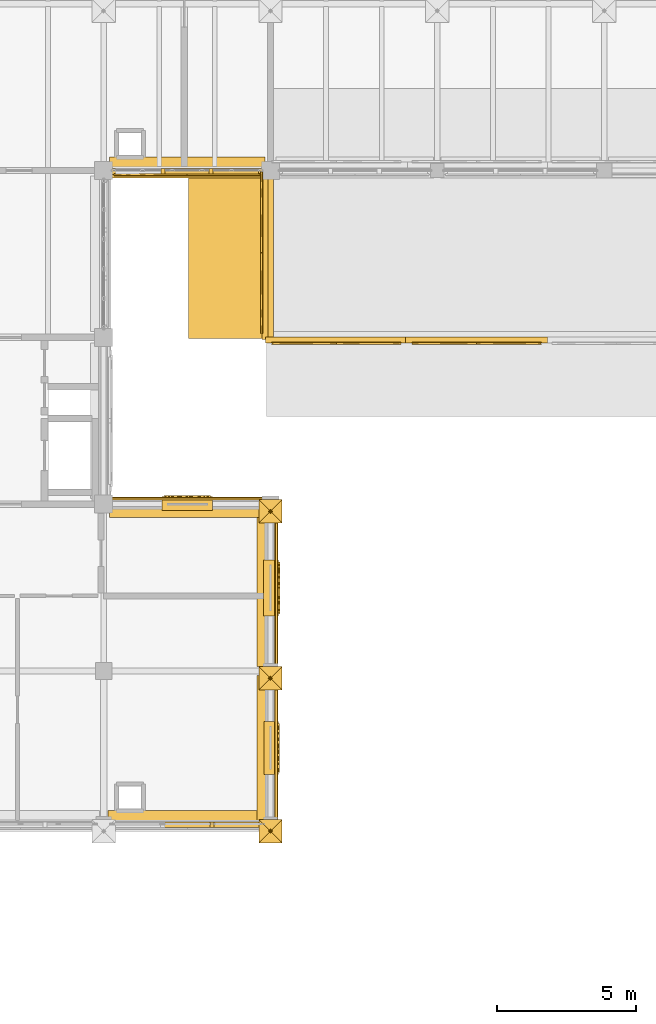
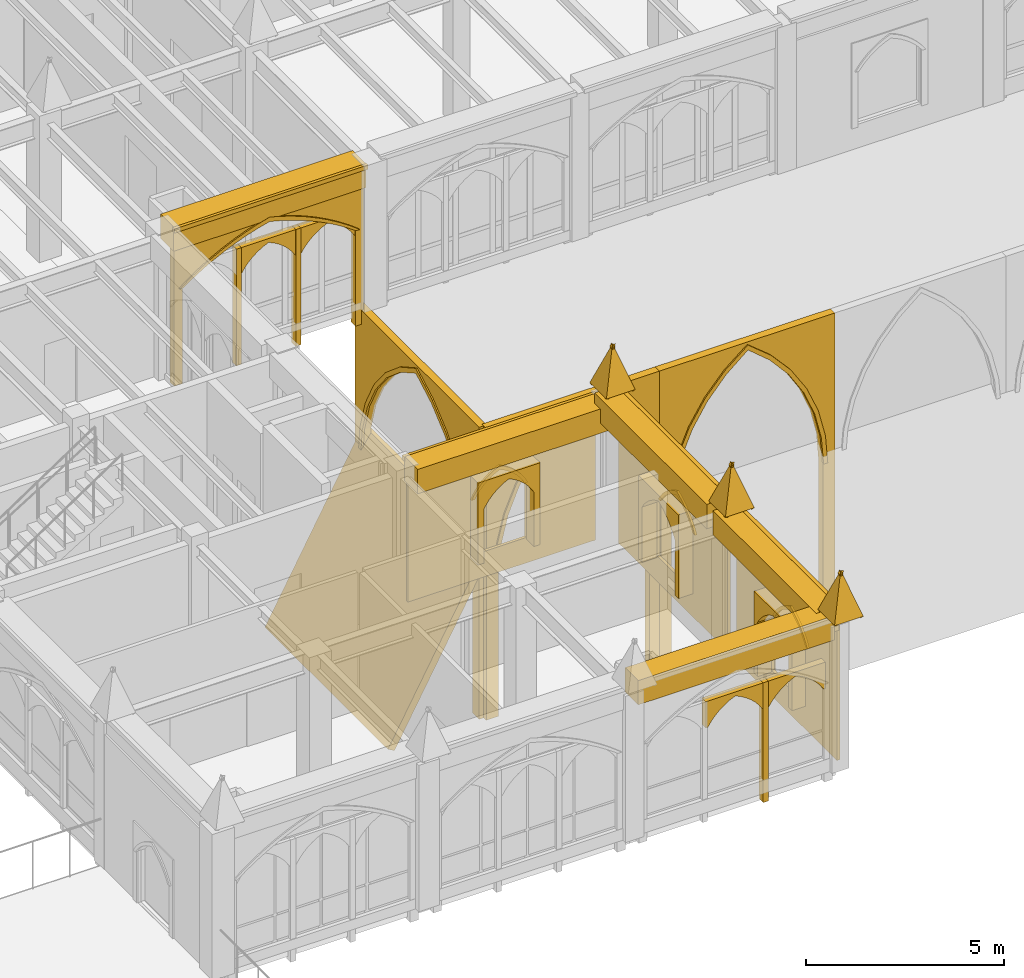
# One storey, part 136 of 143: 46 coverings.
"""IFC4 building model written with IfcOpenShell, lengths in metres."""

from ifc_helpers import new_model, si_unit, direction, frame, origin, origin_2d, place, context, subcontext, project, spatial, polyline, rectangle, outline, extrude, material, type_object, element, save


model = new_model("IFC4")

# Units and contexts
model_context = context("Model", 3, precision=1e-05, world=origin(), true_north=direction((0.0, 1.0)))
body_context = subcontext(model_context, "Body", "Model", "MODEL_VIEW")
ifc_project = project(units=[si_unit("LENGTHUNIT", "METRE"), si_unit("AREAUNIT", "SQUARE_METRE"), si_unit("VOLUMEUNIT", "CUBIC_METRE"), si_unit("PLANEANGLEUNIT", "RADIAN"), si_unit("MASSUNIT", "GRAM", prefix="KILO")], contexts=[model_context])

# Site, building, storey
site_placement = place(None, origin())
site = spatial("IfcSite", under=ifc_project, at=site_placement, CompositionType="ELEMENT")
building_placement = place(site_placement, origin())
building = spatial("IfcBuilding", under=site, at=building_placement, Name="Cumevento Cable Car Station", CompositionType="ELEMENT")
storey_placement = place(building_placement, frame((0.0, 0.0, 9.0)))
storey = spatial("IfcBuildingStorey", under=building, at=storey_placement, Name="L03", CompositionType="ELEMENT", Elevation=9.0)

# Coverings
ifc_material = material(Name="Gnaisse Facoidal Stone Ashlar 85 MPa", Category="masonry")
covering_type = type_object("IfcCoveringType", Name="Gnaisse Ashlar Cladding CV-CL01", PredefinedType="CLADDING", material=ifc_material)
for number, where, z_axis, x_axis, name in (
    (1, (135.580078125, 9.659912109375, 4.8701171875), (0.0, 0.951573760476, 0.30742052367), (1.0, 0.0, 0.0), "Gothic Buttress Pinnacle Spire Facet 1 bt:136.0:9.5"),
    (2, (136.419921875, 9.659912109375, 4.8701171875), (0.951573760476, 0.0, 0.30742052367), (0.0, -1.0, 0.0), "Gothic Buttress Pinnacle Spire Facet 2 bt:136.0:9.5"),
    (3, (136.419921875, 8.820068359375, 4.8701171875), (0.0, -0.951573760476, 0.30742052367), (-1.0, 0.0, 0.0), "Gothic Buttress Pinnacle Spire Facet 3 bt:136.0:9.5"),
    (4, (135.580078125, 8.820068359375, 4.8701171875), (-0.951573760476, 0.0, 0.30742052367), (0.0, 1.0, 0.0), "Gothic Buttress Pinnacle Spire Facet 4 bt:136.0:9.5"),
    (5, (135.580078125, 15.159912109375, 4.8701171875), (0.0, 0.951573760476, 0.30742052367), (1.0, 0.0, 0.0), "Gothic Buttress Pinnacle Spire Facet 1 bt:136.0:15.0"),
    (6, (136.419921875, 15.159912109375, 4.8701171875), (0.951573760476, 0.0, 0.30742052367), (0.0, -1.0, 0.0), "Gothic Buttress Pinnacle Spire Facet 2 bt:136.0:15.0"),
    (7, (136.419921875, 14.320068359375, 4.8701171875), (0.0, -0.951573760476, 0.30742052367), (-1.0, 0.0, 0.0), "Gothic Buttress Pinnacle Spire Facet 3 bt:136.0:15.0"),
    (8, (135.580078125, 14.320068359375, 4.8701171875), (-0.951573760476, 0.0, 0.30742052367), (0.0, 1.0, 0.0), "Gothic Buttress Pinnacle Spire Facet 4 bt:136.0:15.0"),
    (9, (135.580078125, 21.159912109375, 4.8701171875), (0.0, 0.951573760476, 0.30742052367), (1.0, 0.0, 0.0), "Gothic Buttress Pinnacle Spire Facet 1 bt:136.0:21.0"),
    (10, (136.419921875, 21.159912109375, 4.8701171875), (0.951573760476, 0.0, 0.30742052367), (0.0, -1.0, 0.0), "Gothic Buttress Pinnacle Spire Facet 2 bt:136.0:21.0"),
    (11, (136.419921875, 20.320068359375, 4.8701171875), (0.0, -0.951573760476, 0.30742052367), (-1.0, 0.0, 0.0), "Gothic Buttress Pinnacle Spire Facet 3 bt:136.0:21.0"),
    (12, (135.580078125, 20.320068359375, 4.8701171875), (-0.951573760476, 0.0, 0.30742052367), (0.0, 1.0, 0.0), "Gothic Buttress Pinnacle Spire Facet 4 bt:136.0:21.0"),
):
    element("IfcCovering", number, at=place(storey_placement, frame(where, z_axis=z_axis, x_axis=x_axis)), inside=storey, type_object=covering_type, Name=name, PredefinedType="CLADDING", context=body_context, shape_type="SweptSolid", body=[
        extrude(outline(polyline([(0.0, 0.0), (0.83984375, 0.0), (0.419921875, -1.3659526370817139), (0.0, 0.0)])), origin(), (0.0, 0.0, -1.0), 0.0849609375),
    ])
covering_1_placement = place(storey_placement, frame((133.012451171875, 9.64990234375, 4.032958984375), z_axis=(0.0, 0.0, 1.0), x_axis=(-1.0, 0.0, 0.0)))
element("IfcCovering", 13, at=covering_1_placement, inside=storey, type_object=covering_type, Name="Gothic Stone Spandrel Stringcourse sc:0667", PredefinedType="CLADDING", context=body_context, shape_type="SweptSolid", body=[
    extrude(rectangle(XDim=5.715087890625, YDim=0.659912109375, at=origin_2d()), origin(), (0.0, 0.0, 1.0), 0.7470703125),
])
covering_2_placement = place(storey_placement, frame((133.012451171875, 20.85009765625, 3.718017578125), z_axis=(0.0, 0.0, 1.0), x_axis=(1.0, 0.0, 0.0)))
element("IfcCovering", 14, at=covering_2_placement, inside=storey, type_object=covering_type, Name="Gothic Stone Spandrel Stringcourse sc:0668", PredefinedType="CLADDING", context=body_context, shape_type="SweptSolid", body=[
    extrude(rectangle(XDim=5.614990234375, YDim=0.659912109375, at=origin_2d()), origin(), (0.0, 0.0, 1.0), 0.7470703125),
])
covering_3_placement = place(storey_placement, frame((133.012451171875, 21.20751953125, 4.3349609375), z_axis=(0.0, 0.0, 1.0), x_axis=(1.0, 0.0, 0.0)))
element("IfcCovering", 15, at=covering_3_placement, inside=storey, type_object=covering_type, Name="Gothic Cornice Dripstone Lip sc:0668", PredefinedType="CLADDING", context=body_context, shape_type="SweptSolid", body=[
    extrude(rectangle(XDim=5.655029296875, YDim=0.114990234375, at=origin_2d()), origin(), (0.0, 0.0, 1.0), 0.1298828125),
])
covering_4_placement = place(storey_placement, frame((135.85009765625, 12.237548828125, 4.032958984375), z_axis=(0.0, 0.0, 1.0), x_axis=(0.0, -1.0, 0.0)))
element("IfcCovering", 16, at=covering_4_placement, inside=storey, type_object=covering_type, Name="Gothic Stone Spandrel Stringcourse sc:0671", PredefinedType="CLADDING", context=body_context, shape_type="SweptSolid", body=[
    extrude(rectangle(XDim=5.215087890625, YDim=0.659912109375, at=origin_2d()), origin(), (0.0, 0.0, 1.0), 0.7470703125),
])
covering_5_placement = place(storey_placement, frame((136.20751953125, 12.237548828125, 4.650146484375), z_axis=(0.0, 0.0, 1.0), x_axis=(0.0, -1.0, 0.0)))
element("IfcCovering", 17, at=covering_5_placement, inside=storey, type_object=covering_type, Name="Gothic Cornice Dripstone Lip sc:0671", PredefinedType="CLADDING", context=body_context, shape_type="SweptSolid", body=[
    extrude(rectangle(XDim=5.2548828125, YDim=0.114990234375, at=origin_2d()), origin(), (0.0, 0.0, 1.0), 0.1298828125),
])
covering_6_placement = place(storey_placement, frame((135.85009765625, 17.987548828125, 4.032958984375), z_axis=(0.0, 0.0, 1.0), x_axis=(0.0, -1.0, 0.0)))
element("IfcCovering", 18, at=covering_6_placement, inside=storey, type_object=covering_type, Name="Gothic Stone Spandrel Stringcourse sc:0672", PredefinedType="CLADDING", context=body_context, shape_type="SweptSolid", body=[
    extrude(rectangle(XDim=5.6650390625, YDim=0.659912109375, at=origin_2d()), origin(), (0.0, 0.0, 1.0), 0.7470703125),
])
covering_7_placement = place(storey_placement, frame((136.20751953125, 17.987548828125, 4.650146484375), z_axis=(0.0, 0.0, 1.0), x_axis=(0.0, -1.0, 0.0)))
element("IfcCovering", 19, at=covering_7_placement, inside=storey, type_object=covering_type, Name="Gothic Cornice Dripstone Lip sc:0672", PredefinedType="CLADDING", context=body_context, shape_type="SweptSolid", body=[
    extrude(rectangle(XDim=5.705078125, YDim=0.114990234375, at=origin_2d()), origin(), (0.0, 0.0, 1.0), 0.1298828125),
])
covering_8_placement = place(storey_placement, frame((133.0, 33.14990234375, 3.718017578125), z_axis=(0.0, 0.0, 1.0), x_axis=(-1.0, 0.0, 0.0)))
element("IfcCovering", 20, at=covering_8_placement, inside=storey, type_object=covering_type, Name="Gothic Stone Spandrel Stringcourse sc:0677", PredefinedType="CLADDING", context=body_context, shape_type="SweptSolid", body=[
    extrude(rectangle(XDim=5.590087890625, YDim=0.659912109375, at=origin_2d()), origin(), (0.0, 0.0, 1.0), 0.7470703125),
])
covering_9_placement = place(storey_placement, frame((133.0, 32.79248046875, 4.3349609375), z_axis=(0.0, 0.0, 1.0), x_axis=(-1.0, 0.0, 0.0)))
element("IfcCovering", 21, at=covering_9_placement, inside=storey, type_object=covering_type, Name="Gothic Cornice Dripstone Lip sc:0677", PredefinedType="CLADDING", context=body_context, shape_type="SweptSolid", body=[
    extrude(rectangle(XDim=5.6298828125, YDim=0.114990234375, at=origin_2d()), origin(), (0.0, 0.0, 1.0), 0.1298828125),
])
covering_10_placement = place(storey_placement, frame((135.75, 9.5, -0.27001953125), z_axis=(0.0, 0.0, 1.0), x_axis=(-1.0, 0.0, 0.0)))
element("IfcCovering", 22, at=covering_10_placement, inside=storey, type_object=covering_type, Name="Gothic Bifora Stone Colonnette cw_ogival:0125 #1", PredefinedType="CLADDING", context=body_context, shape_type="SweptSolid", body=[
    extrude(outline(polyline([(1.7783203125, -0.02001953125), (1.92822265625, -0.02001953125), (1.92822265625, 3.664306640625), (1.7783203125, 3.664306640625), (1.7783203125, -0.02001953125)])), frame((0.0, 0.1279296875, 0.0), z_axis=(0.0, -1.0, 0.0), x_axis=(1.0, 0.0, 0.0)), (0.0, 0.0, 1.0), 0.205078125),
])
for number, where, z_axis, x_axis, name in (
    (23, (135.6201171875, 9.5, 2.587158203125), (0.0, 0.0, 1.0), (-1.0, 0.0, 0.0), "Gothic Ogival Pointed-Arch Stone Spandrel cw_ogival:0125:sub:0"),
    (24, (133.8515625, 9.5, 2.587158203125), (0.0, 0.0, 1.0), (-1.0, 0.0, 0.0), "Gothic Ogival Pointed-Arch Stone Spandrel cw_ogival:0125:sub:1"),
):
    element("IfcCovering", number, at=place(storey_placement, frame(where, z_axis=z_axis, x_axis=x_axis)), inside=storey, type_object=covering_type, Name=name, PredefinedType="CLADDING", context=body_context, shape_type="SweptSolid", body=[
        extrude(outline(polyline([(-0.02001953125, 0.0), (-0.02001953125, 0.80712890625), (1.6982421875, 0.80712890625), (1.6982421875, 0.0), (1.638427734375, 0.0), (1.5390625, 0.148681640625), (1.42431640625, 0.28564453125), (1.295166015625, 0.409423828125), (1.153564453125, 0.518310546875), (1.0009765625, 0.611328125), (0.839111328125, 0.68701171875), (0.67724609375, 0.611328125), (0.524658203125, 0.518310546875), (0.383056640625, 0.409423828125), (0.25390625, 0.28564453125), (0.13916015625, 0.148681640625), (0.0400390625, 0.0), (-0.02001953125, 0.0)])), frame((0.0, 0.1240234375, 0.0), z_axis=(0.0, -1.0, 0.0), x_axis=(1.0, 0.0, 0.0)), (0.0, 0.0, 1.0), 0.199951171875),
    ])
placement = place(storey_placement, frame((135.675048828125, 33.0, -0.469970703125), z_axis=(0.0, 0.0, 1.0), x_axis=(-1.0, 0.0, 0.0)))
element("IfcCovering", 25, at=placement, inside=storey, type_object=covering_type, Name="Gothic Ogival Pointed-Arch Stone Spandrel cw_ogival:0129", PredefinedType="CLADDING", context=body_context, shape_type="SweptSolid", body=[
    extrude(outline(polyline([(-0.080078125, 0.0), (-0.080078125, 4.327880859375), (5.429931640625, 4.327880859375), (5.429931640625, 0.0), (5.18994140625, 0.0), (5.18994140625, 2.96337890625), (4.90380859375, 3.16259765625), (4.608154296875, 3.347412109375), (4.303466796875, 3.51708984375), (3.990966796875, 3.67138671875), (3.6708984375, 3.810302734375), (3.344482421875, 3.9326171875), (3.01220703125, 4.038818359375), (2.675048828125, 4.128173828125), (2.337890625, 4.038818359375), (2.005615234375, 3.9326171875), (1.67919921875, 3.810302734375), (1.359130859375, 3.67138671875), (1.046630859375, 3.51708984375), (0.741943359375, 3.347412109375), (0.4462890625, 3.16259765625), (0.159912109375, 2.96337890625), (0.159912109375, 0.0), (-0.080078125, 0.0)])), frame((0.0, 0.139892578125, 0.0), z_axis=(0.0, -1.0, 0.0), x_axis=(1.0, 0.0, 0.0)), (0.0, 0.0, 1.0), 0.219970703125),
])
covering_12_placement = place(storey_placement, frame((135.675048828125, 33.0, 2.493408203125), z_axis=(0.0, 0.0, 1.0), x_axis=(-1.0, 0.0, 0.0)))
element("IfcCovering", 26, at=covering_12_placement, inside=storey, type_object=covering_type, Name="Gothic Pointed Archivolt Hood Moulding cw_ogival:0129", PredefinedType="CLADDING", context=body_context, shape_type="SweptSolid", body=[
    extrude(outline(polyline([(0.159912109375, 0.0), (0.4462890625, 0.19921875), (0.741943359375, 0.384033203125), (1.046630859375, 0.5537109375), (1.359130859375, 0.7080078125), (1.67919921875, 0.8466796875), (2.005615234375, 0.96923828125), (2.337890625, 1.0751953125), (2.675048828125, 1.16455078125), (3.01220703125, 1.0751953125), (3.344482421875, 0.96923828125), (3.6708984375, 0.8466796875), (3.990966796875, 0.7080078125), (4.303466796875, 0.5537109375), (4.608154296875, 0.384033203125), (4.90380859375, 0.19921875), (5.18994140625, 0.0), (5.300048828125, 0.0), (5.00537109375, 0.22216796875), (4.699462890625, 0.42822265625), (4.3828125, 0.617919921875), (4.056884765625, 0.79052734375), (3.721923828125, 0.945556640625), (3.37939453125, 1.082763671875), (3.0302734375, 1.20166015625), (2.675048828125, 1.302001953125), (2.31982421875, 1.20166015625), (1.970703125, 1.082763671875), (1.628173828125, 0.945556640625), (1.293212890625, 0.79052734375), (0.96728515625, 0.617919921875), (0.650634765625, 0.42822265625), (0.3447265625, 0.22216796875), (0.050048828125, 0.0), (0.159912109375, 0.0)])), frame((0.0, 0.181884765625, 0.0), z_axis=(0.0, -1.0, 0.0), x_axis=(1.0, 0.0, 0.0)), (0.0, 0.0, 1.0), 0.06689453125),
])
element("IfcCovering", 27, at=placement, inside=storey, type_object=covering_type, Name="Gothic Bifora Stone Colonnette cw_ogival:0129 #1", PredefinedType="CLADDING", context=body_context, shape_type="SweptSolid", body=[
    extrude(outline(polyline([(1.736572265625, -0.02001953125), (1.88671875, -0.02001953125), (1.88671875, 3.569091796875), (1.736572265625, 3.569091796875), (1.736572265625, -0.02001953125)])), frame((0.0, 0.1279296875, 0.0), z_axis=(0.0, -1.0, 0.0), x_axis=(1.0, 0.0, 0.0)), (0.0, 0.0, 1.0), 0.205078125),
])
element("IfcCovering", 28, at=placement, inside=storey, type_object=covering_type, Name="Gothic Bifora Stone Colonnette cw_ogival:0129 #2", PredefinedType="CLADDING", context=body_context, shape_type="SweptSolid", body=[
    extrude(outline(polyline([(3.46337890625, -0.02001953125), (3.61328125, -0.02001953125), (3.61328125, 3.569091796875), (3.46337890625, 3.569091796875), (3.46337890625, -0.02001953125)])), frame((0.0, 0.1279296875, 0.0), z_axis=(0.0, -1.0, 0.0), x_axis=(1.0, 0.0, 0.0)), (0.0, 0.0, 1.0), 0.205078125),
])
for number, where, z_axis, x_axis, name in (
    (29, (135.544921875, 33.0, 2.3134765625), (0.0, 0.0, 1.0), (-1.0, 0.0, 0.0), "Gothic Ogival Pointed-Arch Stone Spandrel cw_ogival:0129:sub:0"),
    (30, (133.818359375, 33.0, 2.3134765625), (0.0, 0.0, 1.0), (-1.0, 0.0, 0.0), "Gothic Ogival Pointed-Arch Stone Spandrel cw_ogival:0129:sub:1"),
):
    element("IfcCovering", number, at=place(storey_placement, frame(where, z_axis=z_axis, x_axis=x_axis)), inside=storey, type_object=covering_type, Name=name, PredefinedType="CLADDING", context=body_context, shape_type="SweptSolid", body=[
        extrude(outline(polyline([(-0.02001953125, 0.0), (-0.02001953125, 0.785400390625), (1.65673828125, 0.785400390625), (1.65673828125, 0.0), (1.5966796875, 0.0), (1.499755859375, 0.14404296875), (1.387939453125, 0.27685546875), (1.26220703125, 0.396728515625), (1.124267578125, 0.502197265625), (0.975830078125, 0.592041015625), (0.818359375, 0.66552734375), (0.660888671875, 0.592041015625), (0.512451171875, 0.502197265625), (0.37451171875, 0.396728515625), (0.248779296875, 0.27685546875), (0.136962890625, 0.14404296875), (0.0400390625, 0.0), (-0.02001953125, 0.0)])), frame((0.0, 0.1240234375, 0.0), z_axis=(0.0, -1.0, 0.0), x_axis=(1.0, 0.0, 0.0)), (0.0, 0.0, 1.0), 0.199951171875),
    ])
covering_15_placement = place(storey_placement, frame((130.324951171875, 21.0, 0.0), z_axis=(0.0, 0.0, 1.0), x_axis=(1.0, 0.0, 0.0)))
element("IfcCovering", 31, at=covering_15_placement, inside=storey, type_object=covering_type, Name="Exterior Gnaisse Stone Wall Ashlar #251", PredefinedType="CLADDING", context=body_context, shape_type="SweptSolid", body=[
    extrude(outline(polyline([(-0.0400390625, -0.02001953125), (5.4150390625, -0.02001953125), (5.4150390625, 3.798095703125), (-0.0400390625, 3.798095703125), (-0.0400390625, -0.02001953125)]), holes=[polyline([(1.972412109375, 0.760009765625), (3.402587890625, 0.760009765625), (3.402587890625, 2.989990234375), (1.972412109375, 2.989990234375), (1.972412109375, 0.760009765625)])]), frame((0.0, 0.22998046875, 0.0), z_axis=(0.0, -1.0, 0.0), x_axis=(1.0, 0.0, 0.0)), (0.0, 0.0, 1.0), 0.0849609375),
])
covering_16_placement = place(storey_placement, frame((132.1474609375, 21.0, 0.699951171875), z_axis=(0.0, 0.0, 1.0), x_axis=(1.0, 0.0, 0.0)))
element("IfcCovering", 32, at=covering_16_placement, inside=storey, type_object=covering_type, Name="Gothic Ogival Pointed-Arch Stone Spandrel op_ogival:0251:1", PredefinedType="CLADDING", context=body_context, shape_type="SweptSolid", body=[
    extrude(outline(polyline([(-0.0400390625, 0.0), (-0.0400390625, 2.52001953125), (1.77001953125, 2.52001953125), (1.77001953125, 0.0), (1.590087890625, 0.0), (1.590087890625, 1.669921875), (1.517333984375, 1.7939453125), (1.4326171875, 1.91015625), (1.337158203125, 2.017578125), (1.2314453125, 2.115234375), (1.116943359375, 2.201904296875), (0.994384765625, 2.277099609375), (0.864990234375, 2.33984375), (0.735595703125, 2.277099609375), (0.613037109375, 2.201904296875), (0.49853515625, 2.115234375), (0.392822265625, 2.017578125), (0.29736328125, 1.91015625), (0.212646484375, 1.7939453125), (0.139892578125, 1.669921875), (0.139892578125, 0.0), (-0.0400390625, 0.0)])), frame((0.0, 0.26806640625, 0.0), z_axis=(0.0, -1.0, 0.0), x_axis=(1.0, 0.0, 0.0)), (0.0, 0.0, 1.0), 0.489990234375),
])
covering_17_placement = place(storey_placement, frame((132.1474609375, 21.0, 2.3701171875), z_axis=(0.0, 0.0, 1.0), x_axis=(1.0, 0.0, 0.0)))
element("IfcCovering", 33, at=covering_17_placement, inside=storey, type_object=covering_type, Name="Gothic Pointed Archivolt Hood Moulding op_ogival:0251:1", PredefinedType="CLADDING", context=body_context, shape_type="SweptSolid", body=[
    extrude(outline(polyline([(0.139892578125, 0.0), (0.212646484375, 0.1240234375), (0.29736328125, 0.240234375), (0.392822265625, 0.34765625), (0.49853515625, 0.4453125), (0.613037109375, 0.531982421875), (0.735595703125, 0.607177734375), (0.864990234375, 0.669921875), (0.994384765625, 0.607177734375), (1.116943359375, 0.531982421875), (1.2314453125, 0.4453125), (1.337158203125, 0.34765625), (1.4326171875, 0.240234375), (1.517333984375, 0.1240234375), (1.590087890625, 0.0), (1.68896484375, 0.0), (1.608642578125, 0.146240234375), (1.51416015625, 0.28369140625), (1.40625, 0.410888671875), (1.2861328125, 0.526611328125), (1.155029296875, 0.629638671875), (1.01416015625, 0.718994140625), (0.864990234375, 0.793701171875), (0.7158203125, 0.718994140625), (0.574951171875, 0.629638671875), (0.44384765625, 0.526611328125), (0.32373046875, 0.410888671875), (0.2158203125, 0.28369140625), (0.121337890625, 0.146240234375), (0.041015625, 0.0), (0.139892578125, 0.0)])), frame((0.0, 0.31005859375, 0.0), z_axis=(0.0, -1.0, 0.0), x_axis=(1.0, 0.0, 0.0)), (0.0, 0.0, 1.0), 0.06689453125),
])
covering_18_placement = place(storey_placement, frame((136.0, 14.72509765625, 0.0), z_axis=(0.0, 0.0, 1.0), x_axis=(0.0, -1.0, 0.0)))
element("IfcCovering", 34, at=covering_18_placement, inside=storey, type_object=covering_type, Name="Exterior Gnaisse Stone Wall Ashlar #253", PredefinedType="CLADDING", context=body_context, shape_type="SweptSolid", body=[
    extrude(outline(polyline([(-0.0400390625, -0.02001953125), (5.014892578125, -0.02001953125), (5.014892578125, 4.113037109375), (-0.0400390625, 4.113037109375), (-0.0400390625, -0.02001953125)]), holes=[polyline([(1.722412109375, 0.760009765625), (3.25244140625, 0.760009765625), (3.25244140625, 2.989990234375), (1.722412109375, 2.989990234375), (1.722412109375, 0.760009765625)])]), frame((0.0, 0.2451171875, 0.0), z_axis=(0.0, -1.0, 0.0), x_axis=(1.0, 0.0, 0.0)), (0.0, 0.0, 1.0), 0.0849609375),
])
covering_19_placement = place(storey_placement, frame((136.0, 13.152587890625, 0.699951171875), z_axis=(0.0, 0.0, 1.0), x_axis=(0.0, -1.0, 0.0)))
element("IfcCovering", 35, at=covering_19_placement, inside=storey, type_object=covering_type, Name="Gothic Ogival Pointed-Arch Stone Spandrel op_ogival:0253:1", PredefinedType="CLADDING", context=body_context, shape_type="SweptSolid", body=[
    extrude(outline(polyline([(-0.0400390625, 0.0), (-0.0400390625, 2.52001953125), (1.8701171875, 2.52001953125), (1.8701171875, 0.0), (1.68994140625, 0.0), (1.68994140625, 1.669921875), (1.60888671875, 1.794921875), (1.516357421875, 1.91162109375), (1.4130859375, 2.01904296875), (1.300537109375, 2.116455078125), (1.17919921875, 2.202880859375), (1.05029296875, 2.277587890625), (0.9150390625, 2.33984375), (0.77978515625, 2.277587890625), (0.65087890625, 2.202880859375), (0.529541015625, 2.116455078125), (0.4169921875, 2.01904296875), (0.313720703125, 1.91162109375), (0.22119140625, 1.794921875), (0.139892578125, 1.669921875), (0.139892578125, 0.0), (-0.0400390625, 0.0)])), frame((0.0, 0.282958984375, 0.0), z_axis=(0.0, -1.0, 0.0), x_axis=(1.0, 0.0, 0.0)), (0.0, 0.0, 1.0), 0.52001953125),
])
covering_20_placement = place(storey_placement, frame((136.0, 13.152587890625, 2.3701171875), z_axis=(0.0, 0.0, 1.0), x_axis=(0.0, -1.0, 0.0)))
element("IfcCovering", 36, at=covering_20_placement, inside=storey, type_object=covering_type, Name="Gothic Pointed Archivolt Hood Moulding op_ogival:0253:1", PredefinedType="CLADDING", context=body_context, shape_type="SweptSolid", body=[
    extrude(outline(polyline([(0.139892578125, 0.0), (0.22119140625, 0.124755859375), (0.313720703125, 0.241455078125), (0.4169921875, 0.34912109375), (0.529541015625, 0.446533203125), (0.65087890625, 0.532958984375), (0.77978515625, 0.607666015625), (0.9150390625, 0.669921875), (1.05029296875, 0.607666015625), (1.17919921875, 0.532958984375), (1.300537109375, 0.446533203125), (1.4130859375, 0.34912109375), (1.516357421875, 0.241455078125), (1.60888671875, 0.124755859375), (1.68994140625, 0.0), (1.7890625, 0.0), (1.7001953125, 0.147216796875), (1.59765625, 0.28515625), (1.482177734375, 0.412353515625), (1.35498046875, 0.52783203125), (1.21728515625, 0.630615234375), (1.070068359375, 0.719482421875), (0.9150390625, 0.793701171875), (0.760009765625, 0.719482421875), (0.61279296875, 0.630615234375), (0.47509765625, 0.52783203125), (0.347900390625, 0.412353515625), (0.232421875, 0.28515625), (0.1298828125, 0.147216796875), (0.041015625, 0.0), (0.139892578125, 0.0)])), frame((0.0, 0.324951171875, 0.0), z_axis=(0.0, -1.0, 0.0), x_axis=(1.0, 0.0, 0.0)), (0.0, 0.0, 1.0), 0.06689453125),
])
covering_21_placement = place(storey_placement, frame((136.0, 20.699951171875, 0.0), z_axis=(0.0, 0.0, 1.0), x_axis=(0.0, -1.0, 0.0)))
element("IfcCovering", 37, at=covering_21_placement, inside=storey, type_object=covering_type, Name="Exterior Gnaisse Stone Wall Ashlar #254", PredefinedType="CLADDING", context=body_context, shape_type="SweptSolid", body=[
    extrude(outline(polyline([(-0.0400390625, -0.02001953125), (5.465087890625, -0.02001953125), (5.465087890625, 4.113037109375), (-0.0400390625, 4.113037109375), (-0.0400390625, -0.02001953125)]), holes=[polyline([(1.8974609375, 0.760009765625), (3.527587890625, 0.760009765625), (3.527587890625, 3.0400390625), (1.8974609375, 3.0400390625), (1.8974609375, 0.760009765625)])]), frame((0.0, 0.260009765625, 0.0), z_axis=(0.0, -1.0, 0.0), x_axis=(1.0, 0.0, 0.0)), (0.0, 0.0, 1.0), 0.0849609375),
])
covering_22_placement = place(storey_placement, frame((136.0, 18.952392578125, 0.699951171875), z_axis=(0.0, 0.0, 1.0), x_axis=(0.0, -1.0, 0.0)))
element("IfcCovering", 38, at=covering_22_placement, inside=storey, type_object=covering_type, Name="Gothic Ogival Pointed-Arch Stone Spandrel op_ogival:0254:1", PredefinedType="CLADDING", context=body_context, shape_type="SweptSolid", body=[
    extrude(outline(polyline([(-0.0400390625, 0.0), (-0.0400390625, 2.570068359375), (1.969970703125, 2.570068359375), (1.969970703125, 0.0), (1.7900390625, 0.0), (1.7900390625, 1.7060546875), (1.701416015625, 1.833984375), (1.6015625, 1.953369140625), (1.4912109375, 2.063232421875), (1.371337890625, 2.16259765625), (1.242919921875, 2.250732421875), (1.107177734375, 2.32666015625), (0.965087890625, 2.39013671875), (0.82275390625, 2.32666015625), (0.68701171875, 2.250732421875), (0.55859375, 2.16259765625), (0.438720703125, 2.063232421875), (0.328369140625, 1.953369140625), (0.228515625, 1.833984375), (0.139892578125, 1.7060546875), (0.139892578125, 0.0), (-0.0400390625, 0.0)])), frame((0.0, 0.298095703125, 0.0), z_axis=(0.0, -1.0, 0.0), x_axis=(1.0, 0.0, 0.0)), (0.0, 0.0, 1.0), 0.550048828125),
])
covering_23_placement = place(storey_placement, frame((136.0, 18.952392578125, 2.406005859375), z_axis=(0.0, 0.0, 1.0), x_axis=(0.0, -1.0, 0.0)))
element("IfcCovering", 39, at=covering_23_placement, inside=storey, type_object=covering_type, Name="Gothic Pointed Archivolt Hood Moulding op_ogival:0254:1", PredefinedType="CLADDING", context=body_context, shape_type="SweptSolid", body=[
    extrude(outline(polyline([(0.139892578125, 0.0), (0.228515625, 0.1279296875), (0.328369140625, 0.247314453125), (0.438720703125, 0.357177734375), (0.55859375, 0.45654296875), (0.68701171875, 0.544677734375), (0.82275390625, 0.62060546875), (0.965087890625, 0.68408203125), (1.107177734375, 0.62060546875), (1.242919921875, 0.544677734375), (1.371337890625, 0.45654296875), (1.4912109375, 0.357177734375), (1.6015625, 0.247314453125), (1.701416015625, 0.1279296875), (1.7900390625, 0.0), (1.888916015625, 0.0), (1.792724609375, 0.150390625), (1.682861328125, 0.291015625), (1.56005859375, 0.420654296875), (1.42578125, 0.5380859375), (1.28076171875, 0.642333984375), (1.126708984375, 0.732421875), (0.965087890625, 0.807861328125), (0.80322265625, 0.732421875), (0.649169921875, 0.642333984375), (0.504150390625, 0.5380859375), (0.369873046875, 0.420654296875), (0.2470703125, 0.291015625), (0.13720703125, 0.150390625), (0.041015625, 0.0), (0.139892578125, 0.0)])), frame((0.0, 0.340087890625, 0.0), z_axis=(0.0, -1.0, 0.0), x_axis=(1.0, 0.0, 0.0)), (0.0, 0.0, 1.0), 0.06689453125),
])
covering_24_placement = place(storey_placement, frame((140.8916015625, 26.949951171875, -9.02001953125), z_axis=(0.0, 0.0, 1.0), x_axis=(-1.0, 0.0, 0.0)))
element("IfcCovering", 40, at=covering_24_placement, inside=storey, type_object=covering_type, Name="Gothic Ogival Pointed-Arch Stone Spandrel cumevento_plinth:bank_arch:SLOPE_DEP_S2:S:0", PredefinedType="CLADDING", context=body_context, shape_type="SweptSolid", body=[
    extrude(outline(polyline([(-0.030029296875, 0.0), (-0.030029296875, 8.97998046875), (5.07177734375, 8.97998046875), (5.07177734375, 0.0), (4.7216796875, 0.0), (4.7216796875, 4.47998046875), (4.656005859375, 5.3095703125), (4.460205078125, 6.118408203125), (4.139404296875, 6.88623046875), (3.701416015625, 7.593994140625), (3.157470703125, 8.223876953125), (2.520751953125, 8.760009765625), (1.88427734375, 8.223876953125), (1.34033203125, 7.593994140625), (0.90234375, 6.88623046875), (0.58154296875, 6.118408203125), (0.3857421875, 5.3095703125), (0.320068359375, 4.47998046875), (0.320068359375, 0.0), (-0.030029296875, 0.0)])), frame((0.0, 0.159912109375, 0.0), z_axis=(0.0, -1.0, 0.0), x_axis=(1.0, 0.0, 0.0)), (0.0, 0.0, 1.0), 0.219970703125),
])
covering_25_placement = place(storey_placement, frame((140.8916015625, 26.949951171875, -4.5400390625), z_axis=(0.0, 0.0, 1.0), x_axis=(-1.0, 0.0, 0.0)))
element("IfcCovering", 41, at=covering_25_placement, inside=storey, type_object=covering_type, Name="Gothic Pointed Archivolt Hood Moulding cumevento_plinth:bank_arch:SLOPE_DEP_S2:S:0", PredefinedType="CLADDING", context=body_context, shape_type="SweptSolid", body=[
    extrude(outline(polyline([(0.320068359375, 0.0), (0.3857421875, 0.82958984375), (0.58154296875, 1.638427734375), (0.90234375, 2.40625), (1.34033203125, 3.114013671875), (1.88427734375, 3.743896484375), (2.520751953125, 4.280029296875), (3.157470703125, 3.743896484375), (3.701416015625, 3.114013671875), (4.139404296875, 2.40625), (4.460205078125, 1.638427734375), (4.656005859375, 0.82958984375), (4.7216796875, 0.0), (4.8427734375, 0.0), (4.773193359375, 0.86328125), (4.566162109375, 1.704345703125), (4.22705078125, 2.50146484375), (3.764892578125, 3.233642578125), (3.191162109375, 3.882568359375), (2.520751953125, 4.43115234375), (1.8505859375, 3.882568359375), (1.27685546875, 3.233642578125), (0.814697265625, 2.50146484375), (0.4755859375, 1.704345703125), (0.2685546875, 0.86328125), (0.198974609375, 0.0), (0.320068359375, 0.0)])), frame((0.0, 0.201904296875, 0.0), z_axis=(0.0, -1.0, 0.0), x_axis=(1.0, 0.0, 0.0)), (0.0, 0.0, 1.0), 0.06689453125),
])
covering_26_placement = place(storey_placement, frame((145.933349609375, 26.949951171875, -9.02001953125), z_axis=(0.0, 0.0, 1.0), x_axis=(-1.0, 0.0, 0.0)))
element("IfcCovering", 42, at=covering_26_placement, inside=storey, type_object=covering_type, Name="Gothic Ogival Pointed-Arch Stone Spandrel cumevento_plinth:bank_arch:SLOPE_DEP_S2:S:1", PredefinedType="CLADDING", context=body_context, shape_type="SweptSolid", body=[
    extrude(outline(polyline([(-0.030029296875, 0.0), (-0.030029296875, 8.97998046875), (5.07177734375, 8.97998046875), (5.07177734375, 0.0), (4.7216796875, 0.0), (4.7216796875, 4.47998046875), (4.656005859375, 5.3095703125), (4.460205078125, 6.118408203125), (4.139404296875, 6.88623046875), (3.701416015625, 7.593994140625), (3.157470703125, 8.223876953125), (2.520751953125, 8.760009765625), (1.88427734375, 8.223876953125), (1.34033203125, 7.593994140625), (0.90234375, 6.88623046875), (0.58154296875, 6.118408203125), (0.3857421875, 5.3095703125), (0.320068359375, 4.47998046875), (0.320068359375, 0.0), (-0.030029296875, 0.0)])), frame((0.0, 0.159912109375, 0.0), z_axis=(0.0, -1.0, 0.0), x_axis=(1.0, 0.0, 0.0)), (0.0, 0.0, 1.0), 0.219970703125),
])
covering_27_placement = place(storey_placement, frame((145.933349609375, 26.949951171875, -4.5400390625), z_axis=(0.0, 0.0, 1.0), x_axis=(-1.0, 0.0, 0.0)))
element("IfcCovering", 43, at=covering_27_placement, inside=storey, type_object=covering_type, Name="Gothic Pointed Archivolt Hood Moulding cumevento_plinth:bank_arch:SLOPE_DEP_S2:S:1", PredefinedType="CLADDING", context=body_context, shape_type="SweptSolid", body=[
    extrude(outline(polyline([(0.320068359375, 0.0), (0.3857421875, 0.82958984375), (0.58154296875, 1.638427734375), (0.90234375, 2.40625), (1.34033203125, 3.114013671875), (1.88427734375, 3.743896484375), (2.520751953125, 4.280029296875), (3.157470703125, 3.743896484375), (3.701416015625, 3.114013671875), (4.139404296875, 2.40625), (4.460205078125, 1.638427734375), (4.656005859375, 0.82958984375), (4.7216796875, 0.0), (4.8427734375, 0.0), (4.773193359375, 0.86328125), (4.566162109375, 1.704345703125), (4.22705078125, 2.50146484375), (3.764892578125, 3.233642578125), (3.191162109375, 3.882568359375), (2.520751953125, 4.43115234375), (1.8505859375, 3.882568359375), (1.27685546875, 3.233642578125), (0.814697265625, 2.50146484375), (0.4755859375, 1.704345703125), (0.2685546875, 0.86328125), (0.198974609375, 0.0), (0.320068359375, 0.0)])), frame((0.0, 0.201904296875, 0.0), z_axis=(0.0, -1.0, 0.0), x_axis=(1.0, 0.0, 0.0)), (0.0, 0.0, 1.0), 0.06689453125),
])
covering_28_placement = place(storey_placement, frame((135.85009765625, 26.949951171875, -9.02001953125), z_axis=(0.0, 0.0, 1.0), x_axis=(0.0, 1.0, 0.0)))
element("IfcCovering", 44, at=covering_28_placement, inside=storey, type_object=covering_type, Name="Gothic Ogival Pointed-Arch Stone Spandrel cumevento_plinth:bank_arch:SLOPE_DEP_S2:W:0", PredefinedType="CLADDING", context=body_context, shape_type="SweptSolid", body=[
    extrude(outline(polyline([(-0.030029296875, 0.0), (-0.030029296875, 8.97998046875), (6.22998046875, 8.97998046875), (6.22998046875, 0.0), (5.8798828125, 0.0), (5.8798828125, 4.47998046875), (5.7939453125, 5.3740234375), (5.538818359375, 6.235107421875), (5.1240234375, 7.03173828125), (4.564697265625, 7.734619140625), (3.8818359375, 8.31787109375), (3.10009765625, 8.760009765625), (2.318115234375, 8.31787109375), (1.63525390625, 7.734619140625), (1.075927734375, 7.03173828125), (0.6611328125, 6.235107421875), (0.406005859375, 5.3740234375), (0.320068359375, 4.47998046875), (0.320068359375, 0.0), (-0.030029296875, 0.0)])), frame((0.0, 0.159912109375, 0.0), z_axis=(0.0, -1.0, 0.0), x_axis=(1.0, 0.0, 0.0)), (0.0, 0.0, 1.0), 0.219970703125),
])
covering_29_placement = place(storey_placement, frame((135.85009765625, 26.949951171875, -4.5400390625), z_axis=(0.0, 0.0, 1.0), x_axis=(0.0, 1.0, 0.0)))
element("IfcCovering", 45, at=covering_29_placement, inside=storey, type_object=covering_type, Name="Gothic Pointed Archivolt Hood Moulding cumevento_plinth:bank_arch:SLOPE_DEP_S2:W:0", PredefinedType="CLADDING", context=body_context, shape_type="SweptSolid", body=[
    extrude(outline(polyline([(0.320068359375, 0.0), (0.406005859375, 0.89404296875), (0.6611328125, 1.755126953125), (1.075927734375, 2.5517578125), (1.63525390625, 3.254638671875), (2.318115234375, 3.837890625), (3.10009765625, 4.280029296875), (3.8818359375, 3.837890625), (4.564697265625, 3.254638671875), (5.1240234375, 2.5517578125), (5.538818359375, 1.755126953125), (5.7939453125, 0.89404296875), (5.8798828125, 0.0), (6.0009765625, 0.0), (5.910888671875, 0.928466796875), (5.64453125, 1.822265625), (5.211181640625, 2.648193359375), (4.62744140625, 3.375732421875), (3.914794921875, 3.9775390625), (3.10009765625, 4.43115234375), (2.28515625, 3.9775390625), (1.572509765625, 3.375732421875), (0.98876953125, 2.648193359375), (0.555419921875, 1.822265625), (0.2890625, 0.928466796875), (0.198974609375, 0.0), (0.320068359375, 0.0)])), frame((0.0, 0.201904296875, 0.0), z_axis=(0.0, -1.0, 0.0), x_axis=(1.0, 0.0, 0.0)), (0.0, 0.0, 1.0), 0.06689453125),
])
covering_30_placement = place(storey_placement, frame((133.050048828125, 33.14990234375, -9.0400390625), z_axis=(-0.876757124685, 0.0, 0.480933409439), x_axis=(0.0, -1.0, 0.0)))
element("IfcCovering", 46, at=covering_30_placement, inside=storey, type_object=covering_type, Name="Sloped Gnaisse Hillside Talus SLOPE_DEP_S2 W", PredefinedType="CLADDING", context=body_context, shape_type="SweptSolid", body=[
    extrude(outline(polyline([(0.0, 0.0), (6.199951171875, 0.0), (6.199951171875, 5.946484950148968), (0.0, 5.946484950148968), (0.0, 0.0)])), origin(), (0.0, 0.0, -1.0), 0.219970703125),
])

save(model, "model.ifc")
